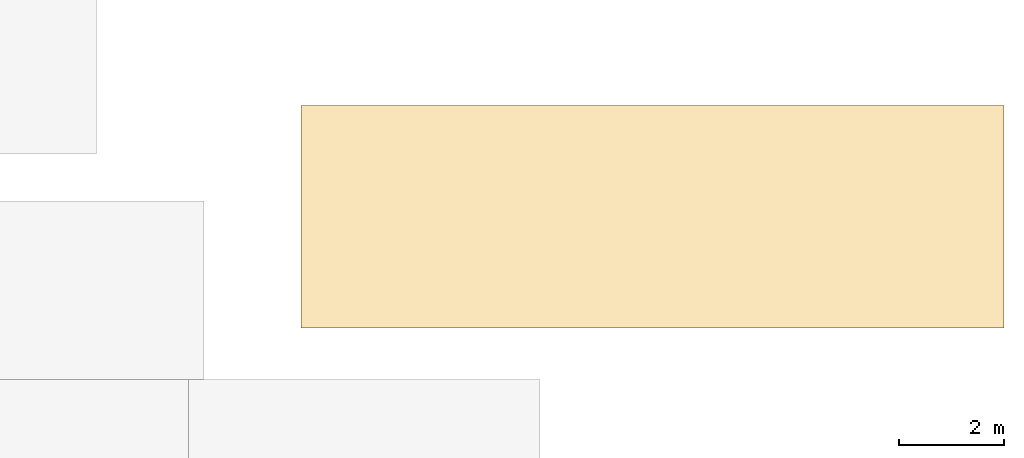
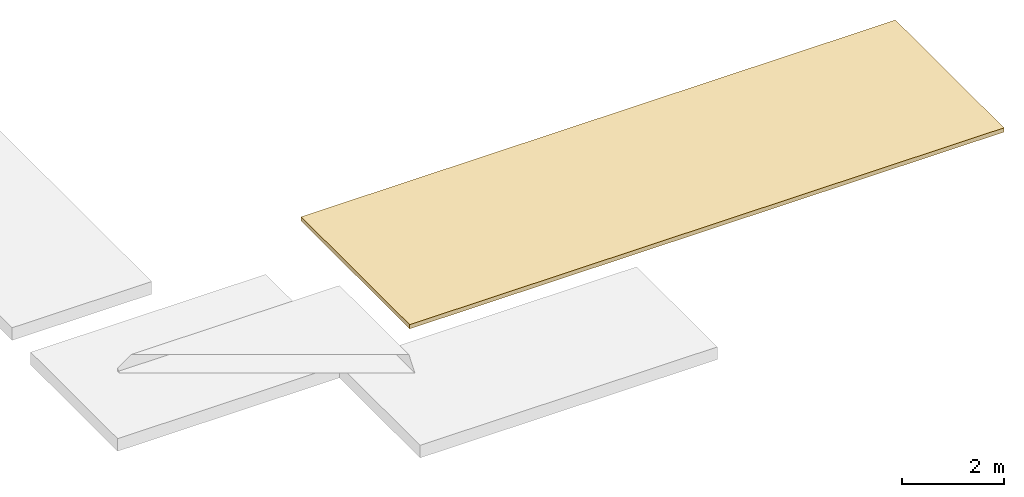
# One storey, part 2 of 2: 1 covering.
"""IFC4 building model written with IfcOpenShell, lengths in metres."""

import ifcopenshell
import ifcopenshell.guid

model = None  # the IFC model being written
_history = None  # IfcOwnerHistory: only IFC2X3 demands one
_inside = {}  # id of a spatial element -> (the spatial element, [elements in it])
_under = {}  # id of a project, library or spatial element -> (it, [spatial elements below it])
_declared = {}  # id of a project -> (the project, [libraries it declares])
_typed = {}  # id of a type object -> (the type object, [elements of that type])
_made_of = {}  # id of a material, layer set ... -> (it, [elements and type objects made of it])


def new_model(schema):
    """Start an empty IFC model of exactly this schema.

    Asked for "IFC4X3", IfcOpenShell would pick the latest addendum, in which some entities
    have other attributes; the version numbers below select the first issue.
    IFC2X3 requires an IfcOwnerHistory on every rooted entity: one is made here for all.
    """
    global model, _history
    if schema == "IFC4X3":
        model = ifcopenshell.file(schema_version=(4, 3, 0, 0))
    else:
        model = ifcopenshell.file(schema=schema)
    _inside.clear()
    _under.clear()
    _declared.clear()
    _typed.clear()
    _made_of.clear()
    _history = None
    if model.schema == "IFC2X3":
        org = make("IfcOrganization", Name="unknown")
        user = make(
            "IfcPersonAndOrganization",
            ThePerson=make("IfcPerson", FamilyName="unknown"),
            TheOrganization=org,
        )
        app = make(
            "IfcApplication",
            ApplicationDeveloper=org,
            Version="unknown",
            ApplicationFullName="unknown",
            ApplicationIdentifier="unknown",
        )
        _history = make(
            "IfcOwnerHistory",
            OwningUser=user,
            OwningApplication=app,
            ChangeAction="ADDED",
            CreationDate=0,
        )
    return model


def make(cls, **values):
    """One entity of the class cls with the attributes given. An attribute that is None is left unset."""
    return model.create_entity(
        cls, **{name: value for name, value in values.items() if value is not None}
    )


def rooted(cls, **values):
    """An entity with a GlobalId (a new one), such as an element, a storey or a relation."""
    return make(cls, GlobalId=ifcopenshell.guid.new(), OwnerHistory=_history, **values)


def si_unit(unit_type, name, prefix=None):
    """IfcSIUnit, for example si_unit("LENGTHUNIT", "METRE", prefix="MILLI")."""
    return make("IfcSIUnit", UnitType=unit_type, Prefix=prefix, Name=name)


def assignment(units):
    """IfcUnitAssignment: the units of a project."""
    return None if units is None else make("IfcUnitAssignment", Units=units)


def point(xyz):
    """IfcCartesianPoint."""
    return None if xyz is None else make("IfcCartesianPoint", Coordinates=xyz)


def direction(xyz):
    """IfcDirection."""
    return None if xyz is None else make("IfcDirection", DirectionRatios=xyz)


def frame(location, z_axis=None, x_axis=None):
    """IfcAxis2Placement3D, a coordinate frame: its origin and axes. An axis left out is left unset."""
    return make(
        "IfcAxis2Placement3D",
        Location=point(location),
        Axis=direction(z_axis),
        RefDirection=direction(x_axis),
    )


def frame_2d(location, x_axis=None):
    """IfcAxis2Placement2D, a coordinate frame in the plane: its origin and x axis."""
    return make(
        "IfcAxis2Placement2D", Location=point(location), RefDirection=direction(x_axis)
    )


def origin():
    """The frame at (0, 0, 0) with its axes left unset."""
    return frame((0.0, 0.0, 0.0))


def origin_2d():
    """The frame at (0, 0) in the plane with its x axis left unset."""
    return frame_2d((0.0, 0.0))


def place(relative_to, where):
    """IfcLocalPlacement: puts the frame where relative to a parent placement (None: the world)."""
    return make(
        "IfcLocalPlacement", PlacementRelTo=relative_to, RelativePlacement=where
    )


def context(
    kind, dimensions, precision=None, world=None, true_north=None, identifier=None
):
    """IfcGeometricRepresentationContext, for example the 3D "Model" context."""
    return make(
        "IfcGeometricRepresentationContext",
        ContextIdentifier=identifier,
        ContextType=kind,
        CoordinateSpaceDimension=dimensions,
        Precision=precision,
        WorldCoordinateSystem=world,
        TrueNorth=true_north,
    )


def subcontext(parent, identifier, kind, view, scale=None):
    """IfcGeometricRepresentationSubContext, for example "Body" below "Model"."""
    return make(
        "IfcGeometricRepresentationSubContext",
        ContextIdentifier=identifier,
        ContextType=kind,
        ParentContext=parent,
        TargetScale=scale,
        TargetView=view,
    )


def project(units=None, contexts=None):
    """IfcProject with its units and contexts."""
    return rooted(
        "IfcProject",
        Name="project",
        RepresentationContexts=contexts,
        UnitsInContext=assignment(units),
    )


def spatial(cls, under=None, at=None, **own):
    """A site, building, storey or space (cls), placed at a placement, below another one or the project."""
    s = rooted(cls, ObjectPlacement=at, **own)
    if under is not None:
        _under.setdefault(under.id(), (under, []))[1].append(s)
    return s


def profile(cls, at=None, kind="AREA", **sizes):
    """A parametric profile (cls). Its sizes go by their IFC names, for example OverallWidth=200.0."""
    return make(cls, ProfileType=kind, Position=at, **sizes)


def rectangle(**sizes):
    """IfcRectangleProfileDef."""
    return profile("IfcRectangleProfileDef", **sizes)


def extrude(swept, where, along, depth):
    """IfcExtrudedAreaSolid: the profile swept, set in the frame where, extruded along a direction by depth."""
    return make(
        "IfcExtrudedAreaSolid",
        SweptArea=swept,
        Position=where,
        ExtrudedDirection=direction(along),
        Depth=depth,
    )


def shape(context_of_items, identifier, shape_type, items):
    """IfcShapeRepresentation: the items that make up one representation, for example the "Body"."""
    return make(
        "IfcShapeRepresentation",
        ContextOfItems=context_of_items,
        RepresentationIdentifier=identifier,
        RepresentationType=shape_type,
        Items=items,
    )


def material(Name=None, Category=None):
    """IfcMaterial."""
    return make("IfcMaterial", Name=Name, Category=Category)


def layer(
    of_material, thickness, ventilated=None, Name=None, Category=None, Priority=None
):
    """IfcMaterialLayer: one layer of a wall or slab, of a material (None: an air gap)."""
    return make(
        "IfcMaterialLayer",
        Material=of_material,
        LayerThickness=thickness,
        IsVentilated=ventilated,
        Name=Name,
        Category=Category,
        Priority=Priority,
    )


def layer_set(layers, Name=None):
    """IfcMaterialLayerSet."""
    return make("IfcMaterialLayerSet", MaterialLayers=layers, LayerSetName=Name)


def made_of(thing, what):
    """Note that an element or type object is made of a material, layer set ...; save() writes the relation."""
    if what is not None:
        _made_of.setdefault(what.id(), (what, []))[1].append(thing)
    return thing


def type_object(cls, material=None, **own):
    """A type object (cls), such as IfcWallType, which elements share."""
    return made_of(rooted(cls, **own), material)


def element(
    cls,
    number,
    at=None,
    inside=None,
    cuts=None,
    type_object=None,
    material=None,
    context=None,
    identifier="Body",
    shape_type=None,
    held_by="IfcProductDefinitionShape",
    body=None,
    shapes=None,
    **own,
):
    """One element of the class cls, such as IfcWall. Its Tag is "e" and its number.

    at: its placement. inside: the storey or other place that contains it. cuts: it is an
    opening in that element (IfcRelVoidsElement). A single representation is given by context,
    identifier, shape_type and body (its items); several are given by shapes. held_by: the class
    of the entity that holds the representations. save() writes the other relations.
    """
    e = rooted(cls, Tag="e%d" % number, ObjectPlacement=at, **own)
    if body is not None:
        shapes = [shape(context, identifier, shape_type, body)]
    if shapes is not None:
        e.Representation = make(held_by, Representations=shapes)
    if inside is not None:
        _inside.setdefault(inside.id(), (inside, []))[1].append(e)
    if cuts is not None:
        rooted(
            "IfcRelVoidsElement", RelatingBuildingElement=cuts, RelatedOpeningElement=e
        )
    if type_object is not None:
        _typed.setdefault(type_object.id(), (type_object, []))[1].append(e)
    return made_of(e, material)


def aggregate(whole, parts):
    """IfcRelAggregates: a whole, such as a stair, and the parts it consists of."""
    return rooted("IfcRelAggregates", RelatingObject=whole, RelatedObjects=parts)


def save(model, path):
    """Write the relations noted so far, then the file.

    IfcRelAggregates (storeys below a building ...), IfcRelContainedInSpatialStructure (elements
    in a storey), IfcRelDefinesByType, IfcRelAssociatesMaterial and IfcRelDeclares: one each for
    every whole, place, type object, material and project.
    """
    for whole, parts in _under.values():
        aggregate(whole, parts)
    for where, things in _inside.values():
        rooted(
            "IfcRelContainedInSpatialStructure",
            RelatedElements=things,
            RelatingStructure=where,
        )
    for kind, things in _typed.values():
        rooted("IfcRelDefinesByType", RelatedObjects=things, RelatingType=kind)
    for what, things in _made_of.values():
        rooted("IfcRelAssociatesMaterial", RelatedObjects=things, RelatingMaterial=what)
    for by, libraries in _declared.values():
        rooted("IfcRelDeclares", RelatingContext=by, RelatedDefinitions=libraries)
    model.write(path)


model = new_model("IFC4")

# Units and contexts
model_context = context("Model", 3, precision=1e-05, world=origin(), true_north=direction((0.0, 1.0)))
body_context = subcontext(model_context, "Body", "Model", "MODEL_VIEW")
ifc_project = project(units=[si_unit("LENGTHUNIT", "METRE"), si_unit("AREAUNIT", "SQUARE_METRE"), si_unit("VOLUMEUNIT", "CUBIC_METRE"), si_unit("PLANEANGLEUNIT", "RADIAN"), si_unit("MASSUNIT", "GRAM", prefix="KILO")], contexts=[model_context])

# Site, building, storey
site_placement = place(None, origin())
site = spatial("IfcSite", under=ifc_project, at=site_placement, CompositionType="ELEMENT")
building_placement = place(site_placement, origin())
building = spatial("IfcBuilding", under=site, at=building_placement, Name="Plateau Cross Towers", CompositionType="ELEMENT")
storey_placement = place(building_placement, frame((0.0, 0.0, 315.10009765625)))
storey = spatial("IfcBuildingStorey", under=building, at=storey_placement, Name="Roof head house", CompositionType="ELEMENT", Elevation=315.10009765625)

# Covering
ifc_material = material(Name="Insulated aluminium roof cladding", Category="aluminium")
ifc_layer = layer(ifc_material, 0.10009765625)
ifc_layer_set = layer_set([ifc_layer], Name="Insulated aluminium roof cladding")
covering_type = type_object("IfcCoveringType", Name="Plant enclosure roof 100", PredefinedType="ROOFING", material=ifc_layer_set)
covering_placement = place(storey_placement, frame((15.75, 9.0, -0.18017578125), z_axis=(0.0, 0.0, 1.0), x_axis=(1.0, 0.0, 0.0)))
element("IfcCovering", 1, at=covering_placement, inside=storey, type_object=covering_type, Name="Plant enclosure roof", PredefinedType="ROOFING", context=body_context, shape_type="SweptSolid", body=[
    extrude(rectangle(XDim=13.39990234375, YDim=4.239990234375, at=origin_2d()), origin(), (0.0, 0.0, 1.0), 0.10009765625),
])

save(model, "model.ifc")
